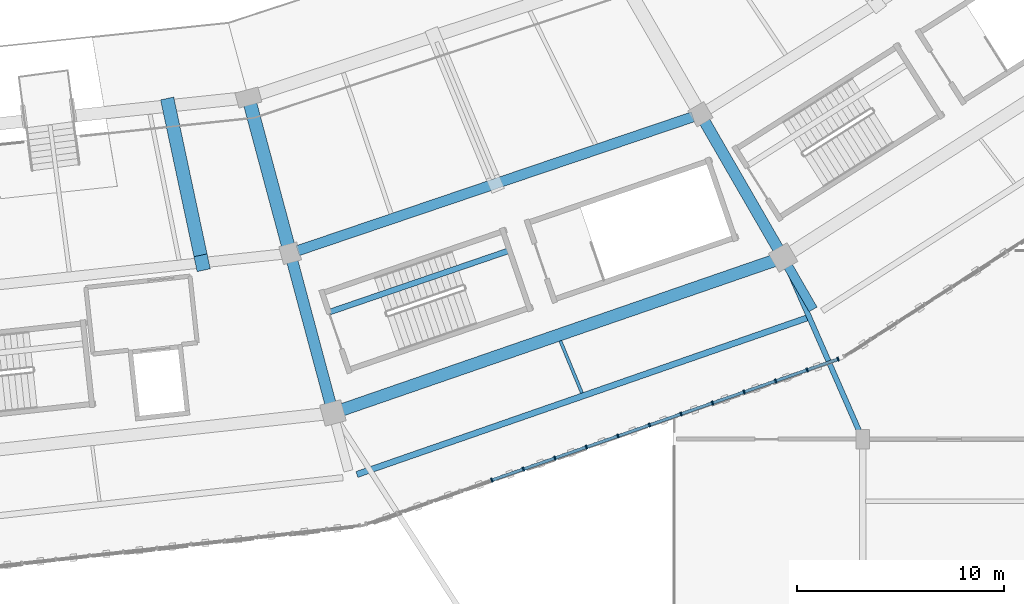
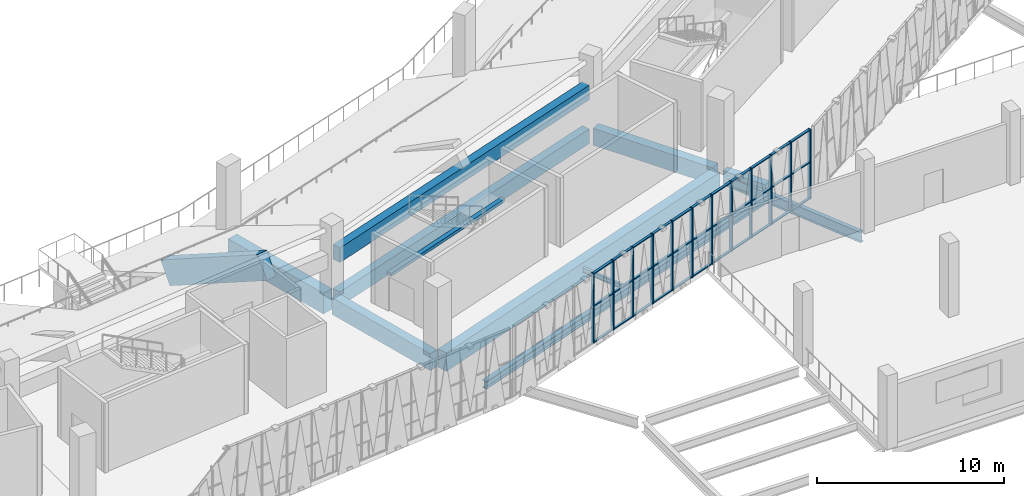
# One storey, part 26 of 152: 45 members, 12 beams, 1 element without a shape of its own.
"""IFC4 building model written with IfcOpenShell, lengths in metres."""

from ifc_helpers import new_model, si_unit, direction, frame, origin, origin_2d, place, context, subcontext, project, spatial, rectangle, i_section, extrude, material, material_profile, profile_set, type_object, element, aggregate, save


model = new_model("IFC4")

# Units and contexts
model_context = context("Model", 3, precision=1e-05, world=origin(), true_north=direction((0.0, 1.0)))
body_context = subcontext(model_context, "Body", "Model", "MODEL_VIEW")
ifc_project = project(units=[si_unit("LENGTHUNIT", "METRE"), si_unit("AREAUNIT", "SQUARE_METRE"), si_unit("VOLUMEUNIT", "CUBIC_METRE"), si_unit("PLANEANGLEUNIT", "RADIAN"), si_unit("MASSUNIT", "GRAM", prefix="KILO")], contexts=[model_context])

# Site, building, storey
site_placement = place(None, origin())
site = spatial("IfcSite", under=ifc_project, at=site_placement, CompositionType="ELEMENT")
building_placement = place(site_placement, origin())
building = spatial("IfcBuilding", under=site, at=building_placement, Name="Zevraka Park Crest Stadium", CompositionType="ELEMENT")
storey_placement = place(building_placement, frame((0.0, 0.0, 15.0)))
storey = spatial("IfcBuildingStorey", under=building, at=storey_placement, Name="L03", CompositionType="ELEMENT", Elevation=15.0)

# Beams
ifc_material_1 = material(Name="Concrete C40/50", Category="concrete")
ifc_material_profile_1 = material_profile(ifc_material_1, rectangle(XDim=0.64990234375, YDim=1.35009765625, at=origin_2d()), Name="RC 1350x650")
ifc_profile_set_1 = profile_set([ifc_material_profile_1], Name="Concrete C40/50")
beam_type_1 = type_object("IfcBeamType", Name="BG01", PredefinedType="BEAM", material=ifc_profile_set_1)
beam_1_placement = place(storey_placement, frame((131.360107421875, 34.237060546875, -0.68505859375), z_axis=(0.258747385792, -0.965945024495, 0.0), x_axis=(0.965945024495, 0.258747385792, 0.0)))
element("IfcBeam", 1, at=beam_1_placement, inside=storey, type_object=beam_type_1, Name="Radial Girder BG01 L03-BC-19", PredefinedType="BEAM", context=body_context, shape_type="SweptSolid", body=[
    extrude(rectangle(XDim=0.64990234375, YDim=1.35009765625, at=origin_2d()), origin(), (0.0, 0.0, 1.0), 7.19921875),
])
ifc_material_2 = material(Name="Concrete C40/50", Category="concrete")
ifc_material_profile_2 = material_profile(ifc_material_2, rectangle(XDim=0.550048828125, YDim=1.10009765625, at=origin_2d()), Name="RC 1100x550")
ifc_profile_set_2 = profile_set([ifc_material_profile_2], Name="Concrete C40/50")
beam_type_2 = type_object("IfcBeamType", Name="BG02", PredefinedType="BEAM", material=ifc_profile_set_2)
beam_2_placement = place(storey_placement, frame((133.37890625, 26.702880859375, -0.56005859375), z_axis=(0.258697599806, -0.965958359276, 0.0), x_axis=(0.965958359276, 0.258697599806, 0.0)))
element("IfcBeam", 2, at=beam_2_placement, inside=storey, type_object=beam_type_2, Name="Radial Girder BG02 L03-CD-19", PredefinedType="BEAM", context=body_context, shape_type="SweptSolid", body=[
    extrude(rectangle(XDim=0.550048828125, YDim=1.10009765625, at=origin_2d()), origin(), (0.0, 0.0, 1.0), 7.39892578125),
])
beam_3_placement = place(storey_placement, frame((153.300048828125, 33.4560546875, -0.56005859375), z_axis=(0.500031859608, -0.86600700885, 0.0), x_axis=(0.86600700885, 0.500031859608, 0.0)))
element("IfcBeam", 3, at=beam_3_placement, inside=storey, type_object=beam_type_2, Name="Radial Girder BG02 L03-CD-20", PredefinedType="BEAM", context=body_context, shape_type="SweptSolid", body=[
    extrude(rectangle(XDim=0.550048828125, YDim=1.10009765625, at=origin_2d()), origin(), (0.0, 0.0, 1.0), 7.3994140625),
])
ifc_material_3 = material(Name="Concrete C40/50", Category="concrete")
ifc_material_profile_3 = material_profile(ifc_material_3, rectangle(XDim=0.449951171875, YDim=0.85009765625, at=origin_2d()), Name="RC 850x450")
ifc_profile_set_3 = profile_set([ifc_material_profile_3], Name="Concrete C40/50")
beam_type_3 = type_object("IfcBeamType", Name="BG03", PredefinedType="BEAM", material=ifc_profile_set_3)
beam_4_placement = place(storey_placement, frame((157.300048828125, 26.528076171875, -0.43505859375), z_axis=(0.500128937424, -0.865950948929, 0.0), x_axis=(0.865950948929, 0.500128937424, 0.0)))
element("IfcBeam", 4, at=beam_4_placement, inside=storey, type_object=beam_type_3, Name="Radial Girder BG03 L03-DE-20", PredefinedType="BEAM", context=body_context, shape_type="SweptSolid", body=[
    extrude(rectangle(XDim=0.449951171875, YDim=0.85009765625, at=origin_2d()), origin(), (0.0, 0.0, 1.0), 2.599365234375),
])
ifc_material_4 = material(Name="Steel S355", Category="steel")
ifc_material_profile_4 = material_profile(ifc_material_4, i_section(OverallWidth=0.253662109375, OverallDepth=0.68359375, WebThickness=0.012451171875, FlangeThickness=0.01904296875, at=origin_2d()), Name="UKB 686x254x140")
ifc_profile_set_4 = profile_set([ifc_material_profile_4], Name="Steel S355")
beam_type_4 = type_object("IfcBeamType", Name="BG05", PredefinedType="BEAM", material=ifc_profile_set_4)
beam_5_placement = place(storey_placement, frame((160.919921875, 18.18310546875, -0.649658203125), z_axis=(-0.401335913167, 0.915930938883, 0.0), x_axis=(-0.915930938883, -0.401335913167, 0.0)))
element("IfcBeam", 5, at=beam_5_placement, inside=storey, type_object=beam_type_4, Name="Wing Link Girder BG05 L03-18/C", PredefinedType="BEAM", context=body_context, shape_type="SweptSolid", body=[
    extrude(i_section(OverallWidth=0.253662109375, OverallDepth=0.68359375, WebThickness=0.012451171875, FlangeThickness=0.01904296875, at=origin_2d()), origin(), (0.0, 0.0, 1.0), 9.0146484375),
])

# Curtain wall, members
ifc_material_5 = material(Name="Anodised architectural aluminium and laminated safety glass", Category="aluminium")
curtain_wall_type = type_object("IfcCurtainWallType", Name="CW12", PredefinedType="NOTDEFINED", material=ifc_material_5)
curtain_wall_placement = place(storey_placement, origin())
curtain_wall = element("IfcCurtainWall", 6, at=curtain_wall_placement, inside=storey, type_object=curtain_wall_type, Name="Unitised Ring Curtain Wall CW12 L03-19", PredefinedType="NOTDEFINED")
ifc_material_6 = material(Name="Anodised architectural aluminium", Category="aluminium")
ifc_material_profile_5 = material_profile(ifc_material_6, rectangle(XDim=0.199951171875, YDim=0.070068359375, at=origin_2d()), Name="ALU MULLION 200x70")
ifc_profile_set_5 = profile_set([ifc_material_profile_5], Name="Anodised architectural aluminium")
member_type_1 = type_object("IfcMemberType", Name="CM03", PredefinedType="MULLION", material=ifc_profile_set_5)
member_1_placement = place(storey_placement, frame((143.056396484375, 16.01513671875, 0.0), z_axis=(0.0, 0.0, 1.0), x_axis=(-0.329916814701, 0.944010008092, 0.0)))
member_1 = element("IfcMember", 7, at=member_1_placement, type_object=member_type_1, Name="CW12 mullion 5", PredefinedType="MULLION", context=body_context, shape_type="SweptSolid", body=[
    extrude(rectangle(XDim=0.199951171875, YDim=0.070068359375, at=origin_2d()), origin(), (0.0, 0.0, 1.0), 4.5400390625),
])
member_2_placement = place(storey_placement, frame((144.582275390625, 16.54833984375, 0.0), z_axis=(0.0, 0.0, 1.0), x_axis=(-0.329916814701, 0.944010008092, 0.0)))
member_2 = element("IfcMember", 8, at=member_2_placement, type_object=member_type_1, Name="CW12 mullion 6", PredefinedType="MULLION", context=body_context, shape_type="SweptSolid", body=[
    extrude(rectangle(XDim=0.199951171875, YDim=0.070068359375, at=origin_2d()), origin(), (0.0, 0.0, 1.0), 4.5400390625),
])
member_3_placement = place(storey_placement, frame((146.108154296875, 17.08154296875, 0.0), z_axis=(0.0, 0.0, 1.0), x_axis=(-0.329916814701, 0.944010008092, 0.0)))
member_3 = element("IfcMember", 9, at=member_3_placement, type_object=member_type_1, Name="CW12 mullion 7", PredefinedType="MULLION", context=body_context, shape_type="SweptSolid", body=[
    extrude(rectangle(XDim=0.199951171875, YDim=0.070068359375, at=origin_2d()), origin(), (0.0, 0.0, 1.0), 4.5400390625),
])
member_4_placement = place(storey_placement, frame((147.634033203125, 17.61474609375, 0.0), z_axis=(0.0, 0.0, 1.0), x_axis=(-0.329916814701, 0.944010008092, 0.0)))
member_4 = element("IfcMember", 10, at=member_4_placement, type_object=member_type_1, Name="CW12 mullion 8", PredefinedType="MULLION", context=body_context, shape_type="SweptSolid", body=[
    extrude(rectangle(XDim=0.199951171875, YDim=0.070068359375, at=origin_2d()), origin(), (0.0, 0.0, 1.0), 4.5400390625),
])
member_5_placement = place(storey_placement, frame((149.159912109375, 18.148193359375, 0.0), z_axis=(0.0, 0.0, 1.0), x_axis=(-0.329916814701, 0.944010008092, 0.0)))
member_5 = element("IfcMember", 11, at=member_5_placement, type_object=member_type_1, Name="CW12 mullion 9", PredefinedType="MULLION", context=body_context, shape_type="SweptSolid", body=[
    extrude(rectangle(XDim=0.199951171875, YDim=0.070068359375, at=origin_2d()), origin(), (0.0, 0.0, 1.0), 4.5400390625),
])
member_6_placement = place(storey_placement, frame((150.685791015625, 18.681396484375, 0.0), z_axis=(0.0, 0.0, 1.0), x_axis=(-0.329916814701, 0.944010008092, 0.0)))
member_6 = element("IfcMember", 12, at=member_6_placement, type_object=member_type_1, Name="CW12 mullion 10", PredefinedType="MULLION", context=body_context, shape_type="SweptSolid", body=[
    extrude(rectangle(XDim=0.199951171875, YDim=0.070068359375, at=origin_2d()), origin(), (0.0, 0.0, 1.0), 4.5400390625),
])
member_7_placement = place(storey_placement, frame((152.211669921875, 19.214599609375, 0.0), z_axis=(0.0, 0.0, 1.0), x_axis=(-0.329916814701, 0.944010008092, 0.0)))
member_7 = element("IfcMember", 13, at=member_7_placement, type_object=member_type_1, Name="CW12 mullion 11", PredefinedType="MULLION", context=body_context, shape_type="SweptSolid", body=[
    extrude(rectangle(XDim=0.199951171875, YDim=0.070068359375, at=origin_2d()), origin(), (0.0, 0.0, 1.0), 4.5400390625),
])
member_8_placement = place(storey_placement, frame((153.737548828125, 19.748046875, 0.0), z_axis=(0.0, 0.0, 1.0), x_axis=(-0.329916814701, 0.944010008092, 0.0)))
member_8 = element("IfcMember", 14, at=member_8_placement, type_object=member_type_1, Name="CW12 mullion 12", PredefinedType="MULLION", context=body_context, shape_type="SweptSolid", body=[
    extrude(rectangle(XDim=0.199951171875, YDim=0.070068359375, at=origin_2d()), origin(), (0.0, 0.0, 1.0), 4.5400390625),
])
member_9_placement = place(storey_placement, frame((155.263427734375, 20.28125, 0.0), z_axis=(0.0, 0.0, 1.0), x_axis=(-0.329916814701, 0.944010008092, 0.0)))
member_9 = element("IfcMember", 15, at=member_9_placement, type_object=member_type_1, Name="CW12 mullion 13", PredefinedType="MULLION", context=body_context, shape_type="SweptSolid", body=[
    extrude(rectangle(XDim=0.199951171875, YDim=0.070068359375, at=origin_2d()), origin(), (0.0, 0.0, 1.0), 4.5400390625),
])
member_10_placement = place(storey_placement, frame((156.789306640625, 20.814453125, 0.0), z_axis=(0.0, 0.0, 1.0), x_axis=(-0.329916814701, 0.944010008092, 0.0)))
member_10 = element("IfcMember", 16, at=member_10_placement, type_object=member_type_1, Name="CW12 mullion 14", PredefinedType="MULLION", context=body_context, shape_type="SweptSolid", body=[
    extrude(rectangle(XDim=0.199951171875, YDim=0.070068359375, at=origin_2d()), origin(), (0.0, 0.0, 1.0), 4.5400390625),
])
member_11_placement = place(storey_placement, frame((158.315185546875, 21.34765625, 0.0), z_axis=(0.0, 0.0, 1.0), x_axis=(-0.329916814701, 0.944010008092, 0.0)))
member_11 = element("IfcMember", 17, at=member_11_placement, type_object=member_type_1, Name="CW12 mullion 15", PredefinedType="MULLION", context=body_context, shape_type="SweptSolid", body=[
    extrude(rectangle(XDim=0.199951171875, YDim=0.070068359375, at=origin_2d()), origin(), (0.0, 0.0, 1.0), 4.5400390625),
])
member_12_placement = place(storey_placement, frame((159.807861328125, 21.869384765625, 0.0), z_axis=(0.0, 0.0, 1.0), x_axis=(-0.329916814701, 0.944010008092, 0.0)))
member_12 = element("IfcMember", 18, at=member_12_placement, type_object=member_type_1, Name="CW12 mullion 16", PredefinedType="MULLION", context=body_context, shape_type="SweptSolid", body=[
    extrude(rectangle(XDim=0.199951171875, YDim=0.070068359375, at=origin_2d()), origin(), (0.0, 0.0, 1.0), 4.5400390625),
])
ifc_material_7 = material(Name="Anodised architectural aluminium", Category="aluminium")
ifc_material_profile_6 = material_profile(ifc_material_7, rectangle(XDim=0.14990234375, YDim=0.070068359375, at=origin_2d()), Name="ALU TRANSOM 150x70")
ifc_profile_set_6 = profile_set([ifc_material_profile_6], Name="Anodised architectural aluminium")
member_type_2 = type_object("IfcMemberType", Name="CT03", PredefinedType="USERDEFINED", material=ifc_profile_set_6)
member_13_placement = place(storey_placement, frame((143.089599609375, 16.026611328125, 0.034912109375), z_axis=(0.943988739301, 0.329977666021, 0.0), x_axis=(-0.329977666021, 0.943988739301, 0.0)))
member_13 = element("IfcMember", 19, at=member_13_placement, type_object=member_type_2, Name="CW12 transom 5.1", ObjectType="TRANSOM", PredefinedType="USERDEFINED", context=body_context, shape_type="SweptSolid", body=[
    extrude(rectangle(XDim=0.14990234375, YDim=0.070068359375, at=origin_2d()), origin(), (0.0, 0.0, 1.0), 1.54638671875),
])
member_14_placement = place(storey_placement, frame((143.089599609375, 16.026611328125, 2.39990234375), z_axis=(0.943988739301, 0.329977666021, 0.0), x_axis=(-0.329977666021, 0.943988739301, 0.0)))
member_14 = element("IfcMember", 20, at=member_14_placement, type_object=member_type_2, Name="CW12 transom 5.2", ObjectType="TRANSOM", PredefinedType="USERDEFINED", context=body_context, shape_type="SweptSolid", body=[
    extrude(rectangle(XDim=0.14990234375, YDim=0.070068359375, at=origin_2d()), origin(), (0.0, 0.0, 1.0), 1.54638671875),
])
member_15_placement = place(storey_placement, frame((143.089599609375, 16.026611328125, 4.5048828125), z_axis=(0.943988739301, 0.329977666021, 0.0), x_axis=(-0.329977666021, 0.943988739301, 0.0)))
member_15 = element("IfcMember", 21, at=member_15_placement, type_object=member_type_2, Name="CW12 transom 5.3", ObjectType="TRANSOM", PredefinedType="USERDEFINED", context=body_context, shape_type="SweptSolid", body=[
    extrude(rectangle(XDim=0.14990234375, YDim=0.070068359375, at=origin_2d()), origin(), (0.0, 0.0, 1.0), 1.54638671875),
])
member_16_placement = place(storey_placement, frame((144.615478515625, 16.559814453125, 0.034912109375), z_axis=(0.943988739301, 0.329977666021, 0.0), x_axis=(-0.329977666021, 0.943988739301, 0.0)))
member_16 = element("IfcMember", 22, at=member_16_placement, type_object=member_type_2, Name="CW12 transom 6.1", ObjectType="TRANSOM", PredefinedType="USERDEFINED", context=body_context, shape_type="SweptSolid", body=[
    extrude(rectangle(XDim=0.14990234375, YDim=0.070068359375, at=origin_2d()), origin(), (0.0, 0.0, 1.0), 1.54638671875),
])
member_17_placement = place(storey_placement, frame((144.615478515625, 16.559814453125, 2.39990234375), z_axis=(0.943988739301, 0.329977666021, 0.0), x_axis=(-0.329977666021, 0.943988739301, 0.0)))
member_17 = element("IfcMember", 23, at=member_17_placement, type_object=member_type_2, Name="CW12 transom 6.2", ObjectType="TRANSOM", PredefinedType="USERDEFINED", context=body_context, shape_type="SweptSolid", body=[
    extrude(rectangle(XDim=0.14990234375, YDim=0.070068359375, at=origin_2d()), origin(), (0.0, 0.0, 1.0), 1.54638671875),
])
member_18_placement = place(storey_placement, frame((144.615478515625, 16.559814453125, 4.5048828125), z_axis=(0.943988739301, 0.329977666021, 0.0), x_axis=(-0.329977666021, 0.943988739301, 0.0)))
member_18 = element("IfcMember", 24, at=member_18_placement, type_object=member_type_2, Name="CW12 transom 6.3", ObjectType="TRANSOM", PredefinedType="USERDEFINED", context=body_context, shape_type="SweptSolid", body=[
    extrude(rectangle(XDim=0.14990234375, YDim=0.070068359375, at=origin_2d()), origin(), (0.0, 0.0, 1.0), 1.54638671875),
])
member_19_placement = place(storey_placement, frame((146.141357421875, 17.09326171875, 0.034912109375), z_axis=(0.944037911501, 0.329836962222, 0.0), x_axis=(-0.329836962222, 0.944037911501, 0.0)))
member_19 = element("IfcMember", 25, at=member_19_placement, type_object=member_type_2, Name="CW12 transom 7.1", ObjectType="TRANSOM", PredefinedType="USERDEFINED", context=body_context, shape_type="SweptSolid", body=[
    extrude(rectangle(XDim=0.14990234375, YDim=0.070068359375, at=origin_2d()), origin(), (0.0, 0.0, 1.0), 1.546142578125),
])
member_20_placement = place(storey_placement, frame((146.141357421875, 17.09326171875, 2.39990234375), z_axis=(0.944037911501, 0.329836962222, 0.0), x_axis=(-0.329836962222, 0.944037911501, 0.0)))
member_20 = element("IfcMember", 26, at=member_20_placement, type_object=member_type_2, Name="CW12 transom 7.2", ObjectType="TRANSOM", PredefinedType="USERDEFINED", context=body_context, shape_type="SweptSolid", body=[
    extrude(rectangle(XDim=0.14990234375, YDim=0.070068359375, at=origin_2d()), origin(), (0.0, 0.0, 1.0), 1.546142578125),
])
member_21_placement = place(storey_placement, frame((146.141357421875, 17.09326171875, 4.5048828125), z_axis=(0.944037911501, 0.329836962222, 0.0), x_axis=(-0.329836962222, 0.944037911501, 0.0)))
member_21 = element("IfcMember", 27, at=member_21_placement, type_object=member_type_2, Name="CW12 transom 7.3", ObjectType="TRANSOM", PredefinedType="USERDEFINED", context=body_context, shape_type="SweptSolid", body=[
    extrude(rectangle(XDim=0.14990234375, YDim=0.070068359375, at=origin_2d()), origin(), (0.0, 0.0, 1.0), 1.546142578125),
])
member_22_placement = place(storey_placement, frame((147.6669921875, 17.62646484375, 0.034912109375), z_axis=(0.944055085145, 0.329787804827, 0.0), x_axis=(-0.329787804827, 0.944055085145, 0.0)))
member_22 = element("IfcMember", 28, at=member_22_placement, type_object=member_type_2, Name="CW12 transom 8.1", ObjectType="TRANSOM", PredefinedType="USERDEFINED", context=body_context, shape_type="SweptSolid", body=[
    extrude(rectangle(XDim=0.14990234375, YDim=0.070068359375, at=origin_2d()), origin(), (0.0, 0.0, 1.0), 1.54638671875),
])
member_23_placement = place(storey_placement, frame((147.6669921875, 17.62646484375, 2.39990234375), z_axis=(0.944055085145, 0.329787804827, 0.0), x_axis=(-0.329787804827, 0.944055085145, 0.0)))
member_23 = element("IfcMember", 29, at=member_23_placement, type_object=member_type_2, Name="CW12 transom 8.2", ObjectType="TRANSOM", PredefinedType="USERDEFINED", context=body_context, shape_type="SweptSolid", body=[
    extrude(rectangle(XDim=0.14990234375, YDim=0.070068359375, at=origin_2d()), origin(), (0.0, 0.0, 1.0), 1.54638671875),
])
member_24_placement = place(storey_placement, frame((147.6669921875, 17.62646484375, 4.5048828125), z_axis=(0.944055085145, 0.329787804827, 0.0), x_axis=(-0.329787804827, 0.944055085145, 0.0)))
member_24 = element("IfcMember", 30, at=member_24_placement, type_object=member_type_2, Name="CW12 transom 8.3", ObjectType="TRANSOM", PredefinedType="USERDEFINED", context=body_context, shape_type="SweptSolid", body=[
    extrude(rectangle(XDim=0.14990234375, YDim=0.070068359375, at=origin_2d()), origin(), (0.0, 0.0, 1.0), 1.54638671875),
])
member_25_placement = place(storey_placement, frame((149.19287109375, 18.15966796875, 0.034912109375), z_axis=(0.944005926705, 0.329928492778, 0.0), x_axis=(-0.329928492778, 0.944005926705, 0.0)))
member_25 = element("IfcMember", 31, at=member_25_placement, type_object=member_type_2, Name="CW12 transom 9.1", ObjectType="TRANSOM", PredefinedType="USERDEFINED", context=body_context, shape_type="SweptSolid", body=[
    extrude(rectangle(XDim=0.14990234375, YDim=0.070068359375, at=origin_2d()), origin(), (0.0, 0.0, 1.0), 1.546630859375),
])
member_26_placement = place(storey_placement, frame((149.19287109375, 18.15966796875, 2.39990234375), z_axis=(0.944005926705, 0.329928492778, 0.0), x_axis=(-0.329928492778, 0.944005926705, 0.0)))
member_26 = element("IfcMember", 32, at=member_26_placement, type_object=member_type_2, Name="CW12 transom 9.2", ObjectType="TRANSOM", PredefinedType="USERDEFINED", context=body_context, shape_type="SweptSolid", body=[
    extrude(rectangle(XDim=0.14990234375, YDim=0.070068359375, at=origin_2d()), origin(), (0.0, 0.0, 1.0), 1.546630859375),
])
member_27_placement = place(storey_placement, frame((149.19287109375, 18.15966796875, 4.5048828125), z_axis=(0.944005926705, 0.329928492778, 0.0), x_axis=(-0.329928492778, 0.944005926705, 0.0)))
member_27 = element("IfcMember", 33, at=member_27_placement, type_object=member_type_2, Name="CW12 transom 9.3", ObjectType="TRANSOM", PredefinedType="USERDEFINED", context=body_context, shape_type="SweptSolid", body=[
    extrude(rectangle(XDim=0.14990234375, YDim=0.070068359375, at=origin_2d()), origin(), (0.0, 0.0, 1.0), 1.546630859375),
])
member_28_placement = place(storey_placement, frame((150.71875, 18.69287109375, 0.034912109375), z_axis=(0.944005926705, 0.329928492778, 0.0), x_axis=(-0.329928492778, 0.944005926705, 0.0)))
member_28 = element("IfcMember", 34, at=member_28_placement, type_object=member_type_2, Name="CW12 transom 10.1", ObjectType="TRANSOM", PredefinedType="USERDEFINED", context=body_context, shape_type="SweptSolid", body=[
    extrude(rectangle(XDim=0.14990234375, YDim=0.070068359375, at=origin_2d()), origin(), (0.0, 0.0, 1.0), 1.546630859375),
])
member_29_placement = place(storey_placement, frame((150.71875, 18.69287109375, 2.39990234375), z_axis=(0.944005926705, 0.329928492778, 0.0), x_axis=(-0.329928492778, 0.944005926705, 0.0)))
member_29 = element("IfcMember", 35, at=member_29_placement, type_object=member_type_2, Name="CW12 transom 10.2", ObjectType="TRANSOM", PredefinedType="USERDEFINED", context=body_context, shape_type="SweptSolid", body=[
    extrude(rectangle(XDim=0.14990234375, YDim=0.070068359375, at=origin_2d()), origin(), (0.0, 0.0, 1.0), 1.546630859375),
])
member_30_placement = place(storey_placement, frame((150.71875, 18.69287109375, 4.5048828125), z_axis=(0.944005926705, 0.329928492778, 0.0), x_axis=(-0.329928492778, 0.944005926705, 0.0)))
member_30 = element("IfcMember", 36, at=member_30_placement, type_object=member_type_2, Name="CW12 transom 10.3", ObjectType="TRANSOM", PredefinedType="USERDEFINED", context=body_context, shape_type="SweptSolid", body=[
    extrude(rectangle(XDim=0.14990234375, YDim=0.070068359375, at=origin_2d()), origin(), (0.0, 0.0, 1.0), 1.546630859375),
])
member_31_placement = place(storey_placement, frame((152.24462890625, 19.226318359375, 0.034912109375), z_axis=(0.944055085145, 0.329787804827, 0.0), x_axis=(-0.329787804827, 0.944055085145, 0.0)))
member_31 = element("IfcMember", 37, at=member_31_placement, type_object=member_type_2, Name="CW12 transom 11.1", ObjectType="TRANSOM", PredefinedType="USERDEFINED", context=body_context, shape_type="SweptSolid", body=[
    extrude(rectangle(XDim=0.14990234375, YDim=0.070068359375, at=origin_2d()), origin(), (0.0, 0.0, 1.0), 1.54638671875),
])
member_32_placement = place(storey_placement, frame((152.24462890625, 19.226318359375, 2.39990234375), z_axis=(0.944055085145, 0.329787804827, 0.0), x_axis=(-0.329787804827, 0.944055085145, 0.0)))
member_32 = element("IfcMember", 38, at=member_32_placement, type_object=member_type_2, Name="CW12 transom 11.2", ObjectType="TRANSOM", PredefinedType="USERDEFINED", context=body_context, shape_type="SweptSolid", body=[
    extrude(rectangle(XDim=0.14990234375, YDim=0.070068359375, at=origin_2d()), origin(), (0.0, 0.0, 1.0), 1.54638671875),
])
member_33_placement = place(storey_placement, frame((152.24462890625, 19.226318359375, 4.5048828125), z_axis=(0.944055085145, 0.329787804827, 0.0), x_axis=(-0.329787804827, 0.944055085145, 0.0)))
member_33 = element("IfcMember", 39, at=member_33_placement, type_object=member_type_2, Name="CW12 transom 11.3", ObjectType="TRANSOM", PredefinedType="USERDEFINED", context=body_context, shape_type="SweptSolid", body=[
    extrude(rectangle(XDim=0.14990234375, YDim=0.070068359375, at=origin_2d()), origin(), (0.0, 0.0, 1.0), 1.54638671875),
])
member_34_placement = place(storey_placement, frame((153.7705078125, 19.759521484375, 0.034912109375), z_axis=(0.944055085145, 0.329787804827, 0.0), x_axis=(-0.329787804827, 0.944055085145, 0.0)))
member_34 = element("IfcMember", 40, at=member_34_placement, type_object=member_type_2, Name="CW12 transom 12.1", ObjectType="TRANSOM", PredefinedType="USERDEFINED", context=body_context, shape_type="SweptSolid", body=[
    extrude(rectangle(XDim=0.14990234375, YDim=0.070068359375, at=origin_2d()), origin(), (0.0, 0.0, 1.0), 1.54638671875),
])
member_35_placement = place(storey_placement, frame((153.7705078125, 19.759521484375, 2.39990234375), z_axis=(0.944055085145, 0.329787804827, 0.0), x_axis=(-0.329787804827, 0.944055085145, 0.0)))
member_35 = element("IfcMember", 41, at=member_35_placement, type_object=member_type_2, Name="CW12 transom 12.2", ObjectType="TRANSOM", PredefinedType="USERDEFINED", context=body_context, shape_type="SweptSolid", body=[
    extrude(rectangle(XDim=0.14990234375, YDim=0.070068359375, at=origin_2d()), origin(), (0.0, 0.0, 1.0), 1.54638671875),
])
member_36_placement = place(storey_placement, frame((153.7705078125, 19.759521484375, 4.5048828125), z_axis=(0.944055085145, 0.329787804827, 0.0), x_axis=(-0.329787804827, 0.944055085145, 0.0)))
member_36 = element("IfcMember", 42, at=member_36_placement, type_object=member_type_2, Name="CW12 transom 12.3", ObjectType="TRANSOM", PredefinedType="USERDEFINED", context=body_context, shape_type="SweptSolid", body=[
    extrude(rectangle(XDim=0.14990234375, YDim=0.070068359375, at=origin_2d()), origin(), (0.0, 0.0, 1.0), 1.54638671875),
])
member_37_placement = place(storey_placement, frame((155.29638671875, 20.292724609375, 0.034912109375), z_axis=(0.944005926705, 0.329928492778, 0.0), x_axis=(-0.329928492778, 0.944005926705, 0.0)))
member_37 = element("IfcMember", 43, at=member_37_placement, type_object=member_type_2, Name="CW12 transom 13.1", ObjectType="TRANSOM", PredefinedType="USERDEFINED", context=body_context, shape_type="SweptSolid", body=[
    extrude(rectangle(XDim=0.14990234375, YDim=0.070068359375, at=origin_2d()), origin(), (0.0, 0.0, 1.0), 1.546630859375),
])
member_38_placement = place(storey_placement, frame((155.29638671875, 20.292724609375, 2.39990234375), z_axis=(0.944005926705, 0.329928492778, 0.0), x_axis=(-0.329928492778, 0.944005926705, 0.0)))
member_38 = element("IfcMember", 44, at=member_38_placement, type_object=member_type_2, Name="CW12 transom 13.2", ObjectType="TRANSOM", PredefinedType="USERDEFINED", context=body_context, shape_type="SweptSolid", body=[
    extrude(rectangle(XDim=0.14990234375, YDim=0.070068359375, at=origin_2d()), origin(), (0.0, 0.0, 1.0), 1.546630859375),
])
member_39_placement = place(storey_placement, frame((155.29638671875, 20.292724609375, 4.5048828125), z_axis=(0.944005926705, 0.329928492778, 0.0), x_axis=(-0.329928492778, 0.944005926705, 0.0)))
member_39 = element("IfcMember", 45, at=member_39_placement, type_object=member_type_2, Name="CW12 transom 13.3", ObjectType="TRANSOM", PredefinedType="USERDEFINED", context=body_context, shape_type="SweptSolid", body=[
    extrude(rectangle(XDim=0.14990234375, YDim=0.070068359375, at=origin_2d()), origin(), (0.0, 0.0, 1.0), 1.546630859375),
])
member_40_placement = place(storey_placement, frame((156.822265625, 20.825927734375, 0.034912109375), z_axis=(0.943988739301, 0.329977666021, 0.0), x_axis=(-0.329977666021, 0.943988739301, 0.0)))
member_40 = element("IfcMember", 46, at=member_40_placement, type_object=member_type_2, Name="CW12 transom 14.1", ObjectType="TRANSOM", PredefinedType="USERDEFINED", context=body_context, shape_type="SweptSolid", body=[
    extrude(rectangle(XDim=0.14990234375, YDim=0.070068359375, at=origin_2d()), origin(), (0.0, 0.0, 1.0), 1.54638671875),
])
member_41_placement = place(storey_placement, frame((156.822265625, 20.825927734375, 2.39990234375), z_axis=(0.943988739301, 0.329977666021, 0.0), x_axis=(-0.329977666021, 0.943988739301, 0.0)))
member_41 = element("IfcMember", 47, at=member_41_placement, type_object=member_type_2, Name="CW12 transom 14.2", ObjectType="TRANSOM", PredefinedType="USERDEFINED", context=body_context, shape_type="SweptSolid", body=[
    extrude(rectangle(XDim=0.14990234375, YDim=0.070068359375, at=origin_2d()), origin(), (0.0, 0.0, 1.0), 1.54638671875),
])
member_42_placement = place(storey_placement, frame((156.822265625, 20.825927734375, 4.5048828125), z_axis=(0.943988739301, 0.329977666021, 0.0), x_axis=(-0.329977666021, 0.943988739301, 0.0)))
member_42 = element("IfcMember", 48, at=member_42_placement, type_object=member_type_2, Name="CW12 transom 14.3", ObjectType="TRANSOM", PredefinedType="USERDEFINED", context=body_context, shape_type="SweptSolid", body=[
    extrude(rectangle(XDim=0.14990234375, YDim=0.070068359375, at=origin_2d()), origin(), (0.0, 0.0, 1.0), 1.54638671875),
])
member_43_placement = place(storey_placement, frame((158.34814453125, 21.359375, 0.034912109375), z_axis=(0.944029481665, 0.329861088563, 0.0), x_axis=(-0.329861088563, 0.944029481665, 0.0)))
member_43 = element("IfcMember", 49, at=member_43_placement, type_object=member_type_2, Name="CW12 transom 15.1", ObjectType="TRANSOM", PredefinedType="USERDEFINED", context=body_context, shape_type="SweptSolid", body=[
    extrude(rectangle(XDim=0.14990234375, YDim=0.070068359375, at=origin_2d()), origin(), (0.0, 0.0, 1.0), 1.51123046875),
])
member_44_placement = place(storey_placement, frame((158.34814453125, 21.359375, 2.39990234375), z_axis=(0.944029481665, 0.329861088563, 0.0), x_axis=(-0.329861088563, 0.944029481665, 0.0)))
member_44 = element("IfcMember", 50, at=member_44_placement, type_object=member_type_2, Name="CW12 transom 15.2", ObjectType="TRANSOM", PredefinedType="USERDEFINED", context=body_context, shape_type="SweptSolid", body=[
    extrude(rectangle(XDim=0.14990234375, YDim=0.070068359375, at=origin_2d()), origin(), (0.0, 0.0, 1.0), 1.51123046875),
])
member_45_placement = place(storey_placement, frame((158.34814453125, 21.359375, 4.5048828125), z_axis=(0.944029481665, 0.329861088563, 0.0), x_axis=(-0.329861088563, 0.944029481665, 0.0)))
member_45 = element("IfcMember", 51, at=member_45_placement, type_object=member_type_2, Name="CW12 transom 15.3", ObjectType="TRANSOM", PredefinedType="USERDEFINED", context=body_context, shape_type="SweptSolid", body=[
    extrude(rectangle(XDim=0.14990234375, YDim=0.070068359375, at=origin_2d()), origin(), (0.0, 0.0, 1.0), 1.51123046875),
])
aggregate(curtain_wall, [member_1, member_2, member_3, member_4, member_5, member_6, member_7, member_8, member_9, member_10, member_11, member_12, member_13, member_14, member_15, member_16, member_17, member_18, member_19, member_20, member_21, member_22, member_23, member_24, member_25, member_26, member_27, member_28, member_29, member_30, member_31, member_32, member_33, member_34, member_35, member_36, member_37, member_38, member_39, member_40, member_41, member_42, member_43, member_44, member_45])

# Beams
ifc_material_8 = material(Name="Concrete C40/50", Category="concrete")
ifc_material_profile_7 = material_profile(ifc_material_8, rectangle(XDim=0.60009765625, YDim=1.199951171875, at=origin_2d()), Name="RC 1200x600")
ifc_profile_set_7 = profile_set([ifc_material_profile_7], Name="Concrete C40/50")
beam_type_5 = type_object("IfcBeamType", Name="RB01", PredefinedType="BEAM", material=ifc_profile_set_7)
beam_6_placement = place(storey_placement, frame((135.72998046875, 19.389892578125, -0.610107421875), z_axis=(0.945210431582, 0.326461697644, 0.0), x_axis=(-0.326461697644, 0.945210431582, 0.0)))
element("IfcBeam", 52, at=beam_6_placement, inside=storey, type_object=beam_type_5, Name="Ring Beam RB01 L03-D-19", PredefinedType="BEAM", context=body_context, shape_type="SweptSolid", body=[
    extrude(rectangle(XDim=0.60009765625, YDim=1.199951171875, at=origin_2d()), origin(), (0.0, 0.0, 1.0), 22.28173828125),
])
ifc_material_9 = material(Name="Concrete C40/50", Category="concrete")
ifc_material_profile_8 = material_profile(ifc_material_9, rectangle(XDim=0.5, YDim=0.949951171875, at=origin_2d()), Name="RC 950x500")
ifc_profile_set_8 = profile_set([ifc_material_profile_8], Name="Concrete C40/50")
beam_type_6 = type_object("IfcBeamType", Name="RB02", PredefinedType="BEAM", material=ifc_profile_set_8)
for number, where, z_axis, x_axis, name in (
    (53, (133.660888671875, 27.114990234375, -0.485107421875), (0.947147952377, 0.320797064058, 0.0), (-0.320797064058, 0.947147952377, 0.0), "Ring Beam RB02 L03-C-19"),
    (54, (133.660888671875, 27.114990234375, 2.375), (0.947147952377, 0.320797064058, 0.0), (-0.320797064058, 0.947147952377, 0.0), "Upper Tier Head Raker Ring Beam RB02 19"),
):
    element("IfcBeam", number, at=place(storey_placement, frame(where, z_axis=z_axis, x_axis=x_axis)), inside=storey, type_object=beam_type_6, Name=name, PredefinedType="BEAM", context=body_context, shape_type="SweptSolid", body=[
        extrude(rectangle(XDim=0.5, YDim=0.949951171875, at=origin_2d()), origin(), (0.0, 0.0, 1.0), 20.196533203125),
    ])
ifc_material_10 = material(Name="Steel S355", Category="steel")
ifc_material_profile_9 = material_profile(ifc_material_10, i_section(OverallWidth=0.300048828125, OverallDepth=0.5, WebThickness=0.014404296875, FlangeThickness=0.028076171875, at=origin_2d()), Name="HEB 500")
ifc_profile_set_9 = profile_set([ifc_material_profile_9], Name="Steel S355")
beam_type_7 = type_object("IfcBeamType", Name="RB05", PredefinedType="BEAM", material=ifc_profile_set_9)
beam_7_placement = place(storey_placement, frame((136.531005859375, 16.2900390625, -0.60498046875), z_axis=(0.944512003331, 0.328476902634, 0.0), x_axis=(-0.328476902634, 0.944512003331, 0.0)))
element("IfcBeam", 55, at=beam_7_placement, inside=storey, type_object=beam_type_7, Name="Ring Beam RB05 L03-E-19", PredefinedType="BEAM", context=body_context, shape_type="SweptSolid", body=[
    extrude(i_section(OverallWidth=0.300048828125, OverallDepth=0.5, WebThickness=0.014404296875, FlangeThickness=0.028076171875, at=origin_2d()), origin(), (0.0, 0.0, 1.0), 23.173828125),
])
ifc_material_11 = material(Name="Concrete C40/50", Category="concrete")
ifc_material_profile_10 = material_profile(ifc_material_11, rectangle(XDim=0.64990234375, YDim=1.5, at=origin_2d()), Name="RC 1500x650")
ifc_profile_set_10 = profile_set([ifc_material_profile_10], Name="Concrete C40/50")
beam_type_8 = type_object("IfcBeamType", Name="RK02", PredefinedType="BEAM", material=ifc_profile_set_10)
beam_8_placement = place(storey_placement, frame((127.426025390625, 34.1220703125, -0.800048828125), z_axis=(0.181272593878, -0.851720860216, 0.491641966254), x_axis=(0.978092979624, 0.20816849716, 0.0)))
element("IfcBeam", 56, at=beam_8_placement, inside=storey, type_object=beam_type_8, Name="Upper Bowl Main Raker Girder RK02 18-2", PredefinedType="BEAM", context=body_context, shape_type="SweptSolid", body=[
    extrude(rectangle(XDim=0.64990234375, YDim=1.5, at=origin_2d()), origin(), (0.0, 0.0, 1.0), 8.9091796875),
])
ifc_material_12 = material(Name="Steel S355", Category="steel")
ifc_material_profile_11 = material_profile(ifc_material_12, i_section(OverallWidth=0.14990234375, OverallDepth=0.300048828125, WebThickness=0.007080078125, FlangeThickness=0.0107421875, at=origin_2d()), Name="IPE 300")
ifc_profile_set_11 = profile_set([ifc_material_profile_11], Name="Steel S355")
beam_type_9 = type_object("IfcBeamType", Name="SJ01", PredefinedType="JOIST", material=ifc_profile_set_11)
beam_9_placement = place(storey_placement, frame((146.373046875, 22.75390625, -0.4580078125), z_axis=(0.3828253139, -0.923820750491, 0.0), x_axis=(0.923820750491, 0.3828253139, 0.0)))
element("IfcBeam", 57, at=beam_9_placement, inside=storey, type_object=beam_type_9, Name="Floor Joist SJ01 L03-DE-19-1", PredefinedType="JOIST", context=body_context, shape_type="SweptSolid", body=[
    extrude(i_section(OverallWidth=0.14990234375, OverallDepth=0.300048828125, WebThickness=0.007080078125, FlangeThickness=0.0107421875, at=origin_2d()), origin(), (0.0, 0.0, 1.0), 2.73193359375),
])
ifc_material_13 = material(Name="Concrete C40/50", Category="concrete")
ifc_material_profile_12 = material_profile(ifc_material_13, rectangle(XDim=0.280029296875, YDim=0.199951171875, at=origin_2d()), Name="RC 200x280")
ifc_profile_set_12 = profile_set([ifc_material_profile_12], Name="Concrete C40/50")
beam_type_10 = type_object("IfcBeamType", Name="SJ13", PredefinedType="JOIST", material=ifc_profile_set_12)
beam_10_placement = place(storey_placement, frame((135.19677734375, 24.144287109375, 2.300048828125), z_axis=(0.946065027556, 0.323976794902, 0.0), x_axis=(-0.323976794902, 0.946065027556, 0.0)))
element("IfcBeam", 58, at=beam_10_placement, inside=storey, type_object=beam_type_10, Name="Stair Upper-Flight Longitudinal Stringer SJ13 ST20-L03", PredefinedType="JOIST", context=body_context, shape_type="SweptSolid", body=[
    extrude(rectangle(XDim=0.280029296875, YDim=0.199951171875, at=origin_2d()), origin(), (0.0, 0.0, 1.0), 9.250244140625),
])

save(model, "model.ifc")
